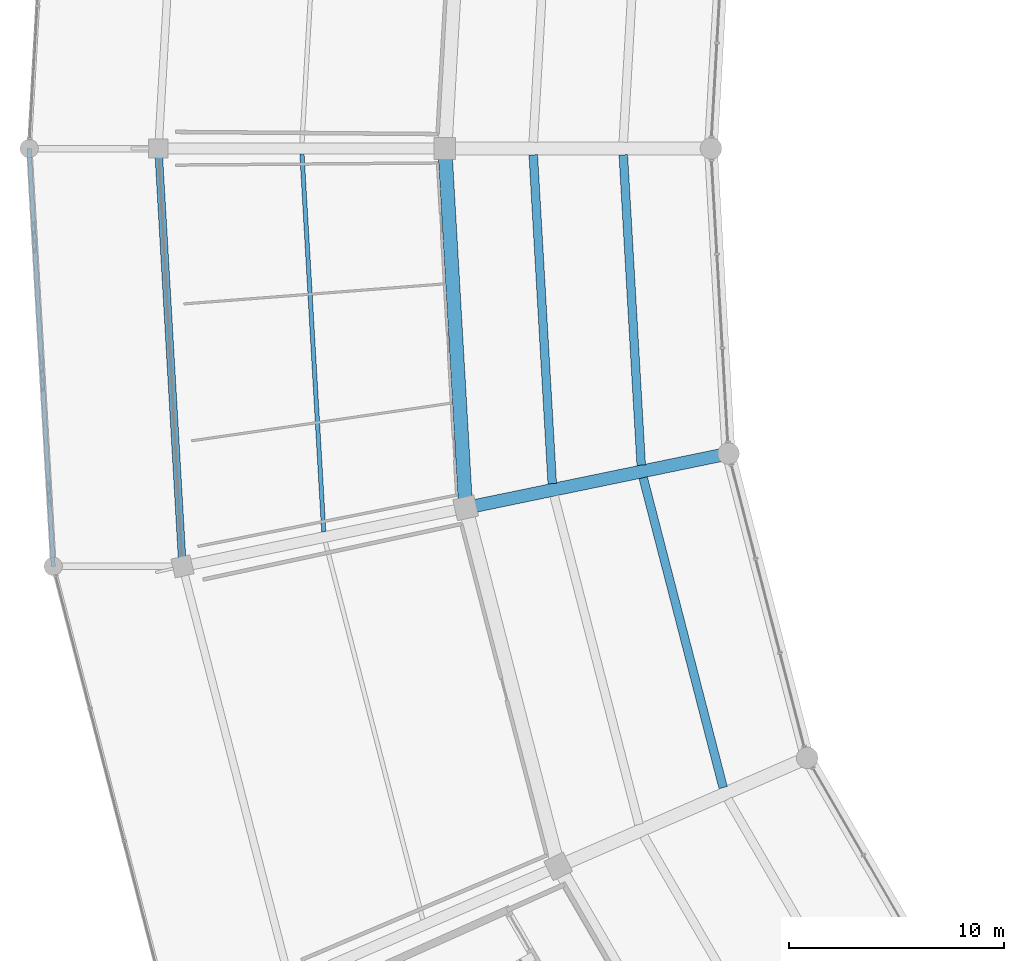
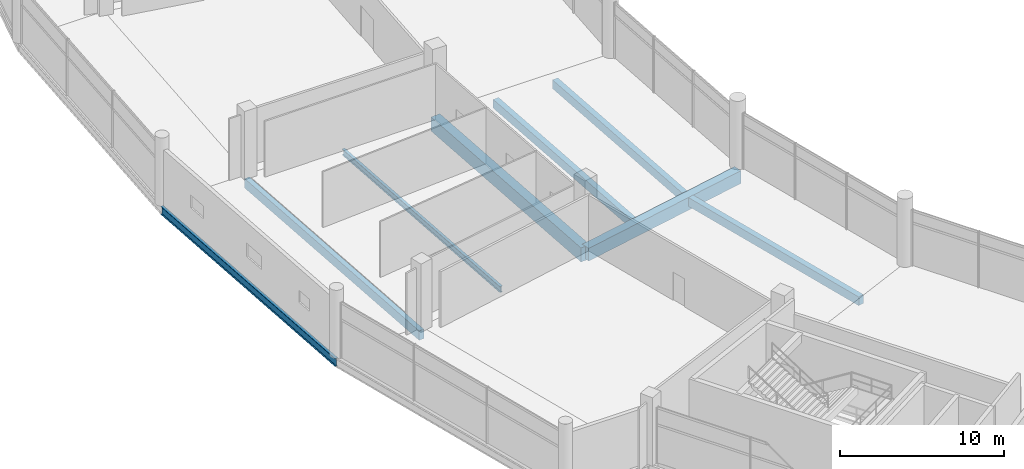
# One storey, part 35 of 184: 8 beams.
"""IFC4 building model written with IfcOpenShell, lengths in metres."""

from ifc_helpers import new_model, si_unit, direction, frame, origin, origin_2d, place, context, subcontext, project, spatial, rectangle, i_section, extrude, material, material_profile, profile_set, type_object, element, save


model = new_model("IFC4")

# Units and contexts
model_context = context("Model", 3, precision=1e-05, world=origin(), true_north=direction((0.0, 1.0)))
body_context = subcontext(model_context, "Body", "Model", "MODEL_VIEW")
ifc_project = project(units=[si_unit("LENGTHUNIT", "METRE"), si_unit("AREAUNIT", "SQUARE_METRE"), si_unit("VOLUMEUNIT", "CUBIC_METRE"), si_unit("PLANEANGLEUNIT", "RADIAN"), si_unit("MASSUNIT", "GRAM", prefix="KILO")], contexts=[model_context])

# Site, building, storey
site_placement = place(None, origin())
site = spatial("IfcSite", under=ifc_project, at=site_placement, CompositionType="ELEMENT")
building_placement = place(site_placement, origin())
building = spatial("IfcBuilding", under=site, at=building_placement, Name="Kazemori Nagisa Stadium", CompositionType="ELEMENT")
storey_placement = place(building_placement, frame((0.0, 0.0, 10.5400390625)))
storey = spatial("IfcBuildingStorey", under=building, at=storey_placement, Name="L02", CompositionType="ELEMENT", Elevation=10.5400390625)

# Beams
ifc_material_1 = material(Name="Concrete C40/50 (Fc42)", Category="concrete")
ifc_material_profile_1 = material_profile(ifc_material_1, rectangle(XDim=0.60009765625, YDim=0.949951171875, at=origin_2d()), Name="RC-BM-600x950")
ifc_profile_set_1 = profile_set([ifc_material_profile_1], Name="Concrete C40/50 (Fc42)")
beam_type_1 = type_object("IfcBeamType", Name="Beam_BG-RC600X950", PredefinedType="BEAM", material=ifc_profile_set_1)
beam_1_placement = place(storey_placement, frame((54.467041015625, 87.839599609375, -0.735107421875), z_axis=(-0.979313861938, -0.202347127025, 0.0), x_axis=(0.202347127025, -0.979313861938, 0.0)))
element("IfcBeam", 1, at=beam_1_placement, inside=storey, type_object=beam_type_1, Name="Radial girder BG-RC600X950 L02 R1-R2-16", PredefinedType="BEAM", context=body_context, shape_type="SweptSolid", body=[
    extrude(rectangle(XDim=0.60009765625, YDim=0.949951171875, at=origin_2d()), origin(), (0.0, 0.0, 1.0), 12.46240234375),
])
ifc_material_profile_2 = material_profile(ifc_material_1, rectangle(XDim=0.64990234375, YDim=1.050048828125, at=origin_2d()), Name="RC-BM-650x1050")
ifc_profile_set_2 = profile_set([ifc_material_profile_2], Name="Concrete C40/50 (Fc42)")
beam_type_2 = type_object("IfcBeamType", Name="Beam_BG-RC650X1050", PredefinedType="BEAM", material=ifc_profile_set_2)
beam_2_placement = place(storey_placement, frame((41.300048828125, 102.0, -0.78515625), z_axis=(0.057594854854, -0.998340038611, 0.0), x_axis=(0.998340038611, 0.057594854854, 0.0)))
element("IfcBeam", 2, at=beam_2_placement, inside=storey, type_object=beam_type_2, Name="Ring girder BG-RC650X1050 L02 R2-15", PredefinedType="BEAM", context=body_context, shape_type="SweptSolid", body=[
    extrude(rectangle(XDim=0.64990234375, YDim=1.050048828125, at=origin_2d()), origin(), (0.0, 0.0, 1.0), 16.7099609375),
])
ifc_material_2 = material(Name="Steel SN490B", Category="steel")
ifc_material_profile_3 = material_profile(ifc_material_2, i_section(OverallWidth=0.199951171875, OverallDepth=0.449951171875, WebThickness=0.009033203125, FlangeThickness=0.013916015625, FilletRadius=0.012939453125, at=origin_2d()), Name="H-450x200x9x14")
ifc_profile_set_3 = profile_set([ifc_material_profile_3], Name="Steel SN490B")
beam_type_3 = type_object("IfcBeamType", Name="Beam_BJ-H450", PredefinedType="JOIST", material=ifc_profile_set_3)
beam_3_placement = place(storey_placement, frame((34.6640625, 101.75537109375, -0.485107421875), z_axis=(0.057605851522, -0.998339404146, 0.0), x_axis=(0.998339404146, 0.057605851522, 0.0)))
element("IfcBeam", 3, at=beam_3_placement, inside=storey, type_object=beam_type_3, Name="Outer bay joist BJ-H450 L02 B15", PredefinedType="JOIST", context=body_context, shape_type="SweptSolid", body=[
    extrude(i_section(OverallWidth=0.199951171875, OverallDepth=0.449951171875, WebThickness=0.009033203125, FlangeThickness=0.013916015625, FilletRadius=0.012939453125, at=origin_2d()), origin(), (0.0, 0.0, 1.0), 17.579833984375),
])
ifc_material_profile_4 = material_profile(ifc_material_1, rectangle(XDim=0.39990234375, YDim=0.64990234375, at=origin_2d()), Name="RC-BM-400x650")
ifc_profile_set_4 = profile_set([ifc_material_profile_4], Name="Concrete C40/50 (Fc42)")
beam_type_4 = type_object("IfcBeamType", Name="Beam_BJ-RC400X650", PredefinedType="JOIST", material=ifc_profile_set_4)
beam_4_placement = place(storey_placement, frame((49.58203125, 101.70556640625, -0.5849609375), z_axis=(0.057594265016, -0.998340072639, 0.0), x_axis=(0.998340072639, 0.057594265016, 0.0)))
element("IfcBeam", 4, at=beam_4_placement, inside=storey, type_object=beam_type_4, Name="Concourse joist BJ-RC400X650 L02 B15-1", PredefinedType="JOIST", context=body_context, shape_type="SweptSolid", body=[
    extrude(rectangle(XDim=0.39990234375, YDim=0.64990234375, at=origin_2d()), origin(), (0.0, 0.0, 1.0), 14.429443359375),
])
beam_5_placement = place(storey_placement, frame((45.402099609375, 101.70556640625, -0.5849609375), z_axis=(0.057599290514, -0.998339782705, 0.0), x_axis=(0.998339782705, 0.057599290514, 0.0)))
element("IfcBeam", 5, at=beam_5_placement, inside=storey, type_object=beam_type_4, Name="Concourse joist BJ-RC400X650 L02 B15-2", PredefinedType="JOIST", context=body_context, shape_type="SweptSolid", body=[
    extrude(rectangle(XDim=0.39990234375, YDim=0.64990234375, at=origin_2d()), origin(), (0.0, 0.0, 1.0), 15.284423828125),
])
beam_6_placement = place(storey_placement, frame((50.50390625, 86.719970703125, -0.5849609375), z_axis=(0.24996646764, -0.968254493951, 0.0), x_axis=(0.968254493951, 0.24996646764, 0.0)))
element("IfcBeam", 6, at=beam_6_placement, inside=storey, type_object=beam_type_4, Name="Concourse joist BJ-RC400X650 L02 B16-1", PredefinedType="JOIST", context=body_context, shape_type="SweptSolid", body=[
    extrude(rectangle(XDim=0.39990234375, YDim=0.64990234375, at=origin_2d()), origin(), (0.0, 0.0, 1.0), 14.859375),
])
ifc_material_profile_5 = material_profile(ifc_material_2, i_section(OverallWidth=0.199951171875, OverallDepth=0.60009765625, WebThickness=0.010986328125, FlangeThickness=0.01708984375, FilletRadius=0.012939453125, at=origin_2d()), Name="H-600x200x11x17")
ifc_profile_set_5 = profile_set([ifc_material_profile_5], Name="Steel SN490B")
beam_type_5 = type_object("IfcBeamType", Name="Beam_BS-H600", PredefinedType="SPANDREL", material=ifc_profile_set_5)
beam_7_placement = place(storey_placement, frame((22.0, 102.0, -0.553955078125), z_axis=(0.057598702622, -0.998339816624, 0.0), x_axis=(0.998339816624, 0.057598702622, 0.0)))
element("IfcBeam", 7, at=beam_7_placement, inside=storey, type_object=beam_type_5, Name="Boulevard edge beam BS-H600 L02 R4-15", PredefinedType="SPANDREL", context=body_context, shape_type="SweptSolid", body=[
    extrude(i_section(OverallWidth=0.199951171875, OverallDepth=0.60009765625, WebThickness=0.010986328125, FlangeThickness=0.01708984375, FilletRadius=0.012939453125, at=origin_2d()), origin(), (0.0, 0.0, 1.0), 19.429931640625),
])
ifc_material_profile_6 = material_profile(ifc_material_1, rectangle(XDim=0.35009765625, YDim=0.699951171875, at=origin_2d()), Name="RC-SP-350x700")
ifc_profile_set_6 = profile_set([ifc_material_profile_6], Name="Concrete C40/50 (Fc42)")
beam_type_6 = type_object("IfcBeamType", Name="Beam_BS-RC350X700", PredefinedType="SPANDREL", material=ifc_profile_set_6)
beam_8_placement = place(storey_placement, frame((28.0, 102.0, -0.610107421875), z_axis=(0.057598702622, -0.998339816624, 0.0), x_axis=(0.998339816624, 0.057598702622, 0.0)))
element("IfcBeam", 8, at=beam_8_placement, inside=storey, type_object=beam_type_6, Name="Ring girder BS-RC350X700 L02 R3-15", PredefinedType="SPANDREL", context=body_context, shape_type="SweptSolid", body=[
    extrude(rectangle(XDim=0.35009765625, YDim=0.699951171875, at=origin_2d()), origin(), (0.0, 0.0, 1.0), 19.429931640625),
])

save(model, "model.ifc")
